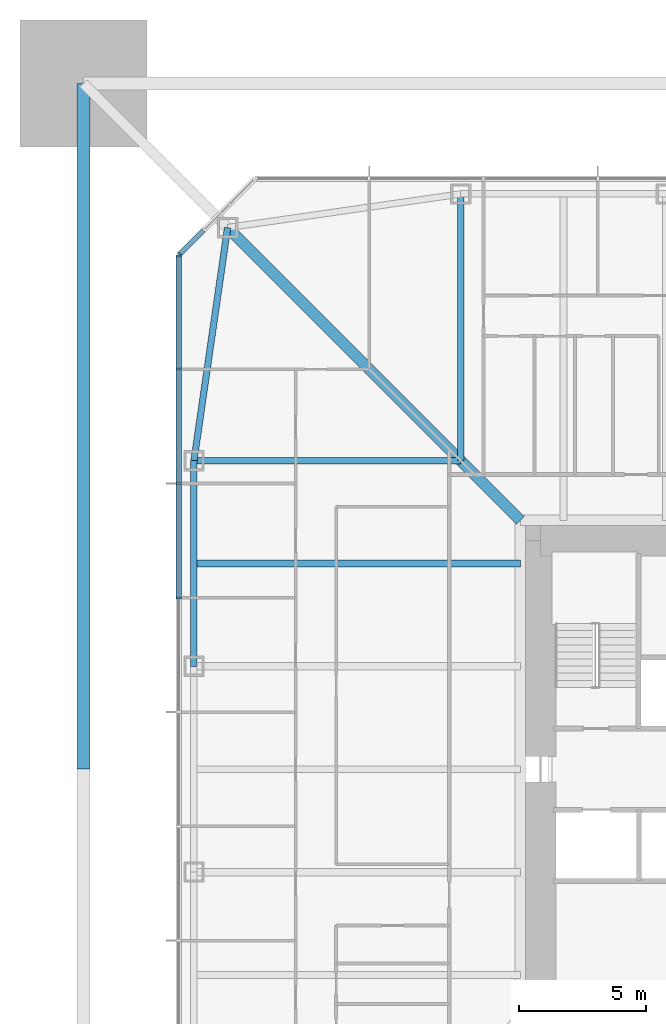
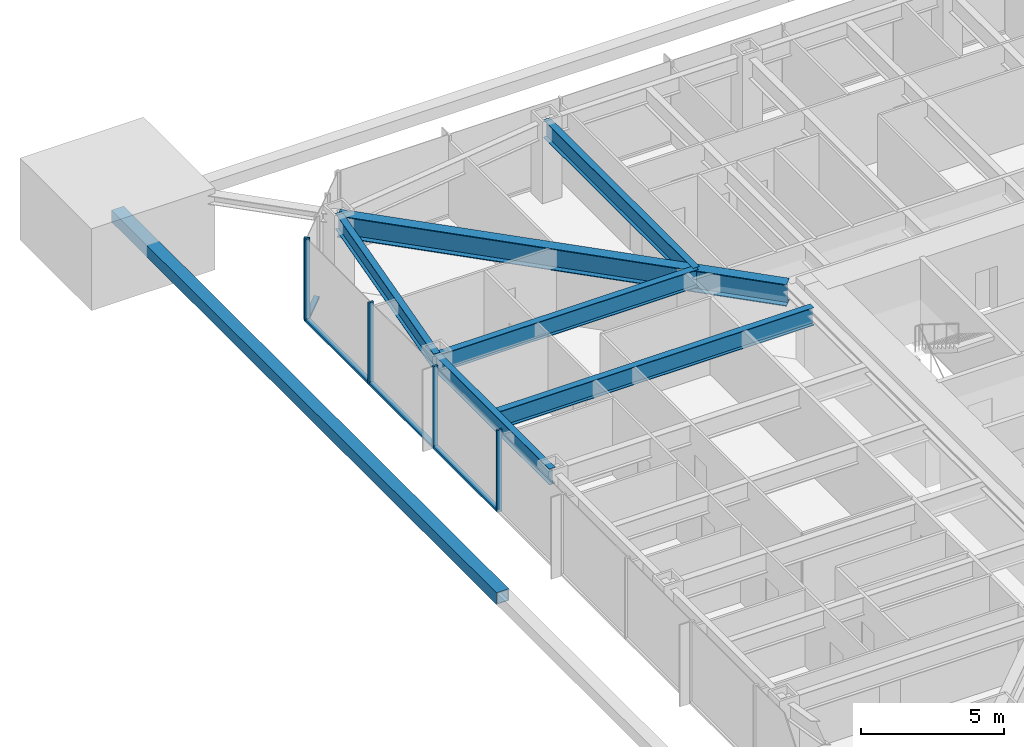
# One storey, part 6 of 27: 10 members, 6 beams, 2 elements without a shape of their own.
"""IFC4 building model written with IfcOpenShell, lengths in metres."""

from ifc_helpers import new_model, si_unit, direction, frame, origin, origin_2d, place, context, subcontext, project, spatial, rectangle, hollow_rectangle, i_section, extrude, material, material_profile, profile_set, type_object, element, aggregate, save


model = new_model("IFC4")

# Units and contexts
model_context = context("Model", 3, precision=1e-05, world=origin(), true_north=direction((0.0, 1.0)))
body_context = subcontext(model_context, "Body", "Model", "MODEL_VIEW")
ifc_project = project(units=[si_unit("LENGTHUNIT", "METRE"), si_unit("AREAUNIT", "SQUARE_METRE"), si_unit("VOLUMEUNIT", "CUBIC_METRE"), si_unit("PLANEANGLEUNIT", "RADIAN"), si_unit("MASSUNIT", "GRAM", prefix="KILO")], contexts=[model_context])

# Site, building, storey
site_placement = place(None, origin())
site = spatial("IfcSite", under=ifc_project, at=site_placement, CompositionType="ELEMENT")
building_placement = place(site_placement, origin())
building = spatial("IfcBuilding", under=site, at=building_placement, Name="Iwan Alto Co-Living Towers", CompositionType="ELEMENT")
storey_placement = place(building_placement, frame((0.0, 0.0, 53.5)))
storey = spatial("IfcBuildingStorey", under=building, at=storey_placement, Name="L14", CompositionType="ELEMENT", Elevation=53.5)

# Curtain wall, members
ifc_material_1 = material(Name="Bronze aluminium unitised frame", Category="aluminium")
curtain_wall_type_1 = type_object("IfcCurtainWallType", Name="CURTAIN WALL CW-A", PredefinedType="NOTDEFINED", material=ifc_material_1)
curtain_wall_1_placement = place(storey_placement, origin())
curtain_wall_1 = element("IfcCurtainWall", 1, at=curtain_wall_1_placement, inside=storey, type_object=curtain_wall_type_1, Name="T1 curtain wall W L14", PredefinedType="NOTDEFINED")
ifc_material_2 = material(Name="Aluminium 6063-T6 bronze anodised", Category="aluminium")
ifc_material_profile_1 = material_profile(ifc_material_2, rectangle(XDim=0.199951171875, YDim=0.080078125, at=origin_2d()), Name="AL 80X200")
ifc_profile_set_1 = profile_set([ifc_material_profile_1], Name="Aluminium 6063-T6 bronze anodised")
member_type_1 = type_object("IfcMemberType", Name="CW-A MULLION 80X200", PredefinedType="MULLION", material=ifc_profile_set_1)
member_1_placement = place(storey_placement, frame((-23.25, 20.2099609375, 0.0), z_axis=(0.0, 0.0, 1.0), x_axis=(1.0, 0.0, 0.0)))
member_1 = element("IfcMember", 2, at=member_1_placement, type_object=member_type_1, Name="CW-A mullion 1", PredefinedType="MULLION", context=body_context, shape_type="SweptSolid", body=[
    extrude(rectangle(XDim=0.199951171875, YDim=0.080078125, at=origin_2d()), origin(), (0.0, 0.0, 1.0), 3.5),
])
member_2_placement = place(storey_placement, frame((-23.25, 15.75, 0.0), z_axis=(0.0, 0.0, 1.0), x_axis=(1.0, 0.0, 0.0)))
member_2 = element("IfcMember", 3, at=member_2_placement, type_object=member_type_1, Name="CW-A mullion 2", PredefinedType="MULLION", context=body_context, shape_type="SweptSolid", body=[
    extrude(rectangle(XDim=0.199951171875, YDim=0.080078125, at=origin_2d()), origin(), (0.0, 0.0, 1.0), 3.5),
])
member_3_placement = place(storey_placement, frame((-23.25, 11.25, 0.0), z_axis=(0.0, 0.0, 1.0), x_axis=(1.0, 0.0, 0.0)))
member_3 = element("IfcMember", 4, at=member_3_placement, type_object=member_type_1, Name="CW-A mullion 3", PredefinedType="MULLION", context=body_context, shape_type="SweptSolid", body=[
    extrude(rectangle(XDim=0.199951171875, YDim=0.080078125, at=origin_2d()), origin(), (0.0, 0.0, 1.0), 3.5),
])
member_4_placement = place(storey_placement, frame((-23.25, 6.75, 0.0), z_axis=(0.0, 0.0, 1.0), x_axis=(1.0, 0.0, 0.0)))
member_4 = element("IfcMember", 5, at=member_4_placement, type_object=member_type_1, Name="CW-A mullion 4", PredefinedType="MULLION", context=body_context, shape_type="SweptSolid", body=[
    extrude(rectangle(XDim=0.199951171875, YDim=0.080078125, at=origin_2d()), origin(), (0.0, 0.0, 1.0), 3.5),
])
ifc_material_3 = material(Name="Aluminium 6063-T6 bronze anodised", Category="aluminium")
ifc_material_profile_2 = material_profile(ifc_material_3, rectangle(XDim=0.199951171875, YDim=0.10009765625, at=origin_2d()), Name="AL 200X100")
ifc_profile_set_2 = profile_set([ifc_material_profile_2], Name="Aluminium 6063-T6 bronze anodised")
member_type_2 = type_object("IfcMemberType", Name="CW-A TRANSOM 200X100", PredefinedType="USERDEFINED", material=ifc_profile_set_2)
member_5_placement = place(storey_placement, frame((-23.25, 20.169921875, 0.050048828125), z_axis=(0.0, -1.0, 0.0), x_axis=(1.0, 0.0, 0.0)))
member_5 = element("IfcMember", 6, at=member_5_placement, type_object=member_type_2, Name="CW-A transom 1.1", ObjectType="TRANSOM", PredefinedType="USERDEFINED", context=body_context, shape_type="SweptSolid", body=[
    extrude(rectangle(XDim=0.199951171875, YDim=0.10009765625, at=origin_2d()), origin(), (0.0, 0.0, 1.0), 4.3798828125),
])
member_6_placement = place(storey_placement, frame((-23.25, 15.7099609375, 0.050048828125), z_axis=(0.0, -1.0, 0.0), x_axis=(1.0, 0.0, 0.0)))
member_6 = element("IfcMember", 7, at=member_6_placement, type_object=member_type_2, Name="CW-A transom 2.1", ObjectType="TRANSOM", PredefinedType="USERDEFINED", context=body_context, shape_type="SweptSolid", body=[
    extrude(rectangle(XDim=0.199951171875, YDim=0.10009765625, at=origin_2d()), origin(), (0.0, 0.0, 1.0), 4.419921875),
])
member_7_placement = place(storey_placement, frame((-23.25, 11.2099609375, 0.050048828125), z_axis=(0.0, -1.0, 0.0), x_axis=(1.0, 0.0, 0.0)))
member_7 = element("IfcMember", 8, at=member_7_placement, type_object=member_type_2, Name="CW-A transom 3.1", ObjectType="TRANSOM", PredefinedType="USERDEFINED", context=body_context, shape_type="SweptSolid", body=[
    extrude(rectangle(XDim=0.199951171875, YDim=0.10009765625, at=origin_2d()), origin(), (0.0, 0.0, 1.0), 4.419921875),
])
aggregate(curtain_wall_1, [member_1, member_2, member_3, member_4, member_5, member_6, member_7])

ifc_material_4 = material(Name="Bronze aluminium unitised frame", Category="aluminium")
curtain_wall_type_2 = type_object("IfcCurtainWallType", Name="CURTAIN WALL CW-B", PredefinedType="NOTDEFINED", material=ifc_material_4)
curtain_wall_2_placement = place(storey_placement, origin())
curtain_wall_2 = element("IfcCurtainWall", 9, at=curtain_wall_2_placement, inside=storey, type_object=curtain_wall_type_2, Name="T1 chamfer curtain wall NW L14", PredefinedType="NOTDEFINED")
ifc_material_5 = material(Name="Aluminium 6063-T6 bronze anodised", Category="aluminium")
ifc_material_profile_3 = material_profile(ifc_material_5, rectangle(XDim=0.199951171875, YDim=0.080078125, at=origin_2d()), Name="AL 80X200")
ifc_profile_set_3 = profile_set([ifc_material_profile_3], Name="Aluminium 6063-T6 bronze anodised")
member_type_3 = type_object("IfcMemberType", Name="CW-B MULLION 80X200", PredefinedType="MULLION", material=ifc_profile_set_3)
member_8_placement = place(storey_placement, frame((-23.2216796875, 20.2783203125, 0.0), z_axis=(0.0, 0.0, 1.0), x_axis=(0.707106781187, -0.707106781187, 0.0)))
member_8 = element("IfcMember", 10, at=member_8_placement, type_object=member_type_3, Name="CW-B mullion 4", PredefinedType="MULLION", context=body_context, shape_type="SweptSolid", body=[
    extrude(rectangle(XDim=0.199951171875, YDim=0.080078125, at=origin_2d()), origin(), (0.0, 0.0, 1.0), 3.5),
])
ifc_material_6 = material(Name="Aluminium 6063-T6 bronze anodised", Category="aluminium")
ifc_material_profile_4 = material_profile(ifc_material_6, rectangle(XDim=0.199951171875, YDim=0.10009765625, at=origin_2d()), Name="AL 200X100")
ifc_profile_set_4 = profile_set([ifc_material_profile_4], Name="Aluminium 6063-T6 bronze anodised")
member_type_4 = type_object("IfcMemberType", Name="CW-B TRANSOM 200X100", PredefinedType="USERDEFINED", material=ifc_profile_set_4)
member_9_placement = place(storey_placement, frame((-22.2783203125, 21.2216796875, 0.050048828125), z_axis=(-0.707106781187, -0.707106781187, 0.0), x_axis=(0.707106781187, -0.707106781187, 0.0)))
member_9 = element("IfcMember", 11, at=member_9_placement, type_object=member_type_4, Name="CW-B transom 3.1", ObjectType="TRANSOM", PredefinedType="USERDEFINED", context=body_context, shape_type="SweptSolid", body=[
    extrude(rectangle(XDim=0.199951171875, YDim=0.10009765625, at=origin_2d()), origin(), (0.0, 0.0, 1.0), 1.2939453125),
])
aggregate(curtain_wall_2, [member_8, member_9])

# Beams
ifc_material_7 = material(Name="Steel ASTM A992 Gr 50", Category="steel")
ifc_material_profile_5 = material_profile(ifc_material_7, i_section(OverallWidth=0.419189453125, OverallDepth=0.927001953125, WebThickness=0.019287109375, FlangeThickness=0.031982421875, at=origin_2d()), Name="W36X231")
ifc_profile_set_5 = profile_set([ifc_material_profile_5], Name="Steel ASTM A992 Gr 50")
beam_type_1 = type_object("IfcBeamType", Name="T1 CORNER GIRDER W36X231", PredefinedType="BEAM", material=ifc_profile_set_5)
beam_1_placement = place(storey_placement, frame((-21.32568359375, 21.32568359375, 2.806396484375), z_axis=(0.707106781187, -0.707106781187, 0.0), x_axis=(0.707106781187, 0.707106781187, 0.0)))
element("IfcBeam", 12, at=beam_1_placement, inside=storey, type_object=beam_type_1, Name="T1 corner girder CNW L15", PredefinedType="BEAM", context=body_context, shape_type="SweptSolid", body=[
    extrude(i_section(OverallWidth=0.419189453125, OverallDepth=0.927001953125, WebThickness=0.019287109375, FlangeThickness=0.031982421875, at=origin_2d()), origin(), (0.0, 0.0, 1.0), 16.296875),
])
ifc_material_8 = material(Name="Steel ASTM A992 Gr 50", Category="steel")
ifc_material_profile_6 = material_profile(ifc_material_8, i_section(OverallWidth=0.25390625, OverallDepth=0.683349609375, WebThickness=0.012451171875, FlangeThickness=0.018798828125, at=origin_2d()), Name="W27X94")
ifc_profile_set_6 = profile_set([ifc_material_profile_6], Name="Steel ASTM A992 Gr 50")
beam_type_2 = type_object("IfcBeamType", Name="T1 EDGE BEAM W27X94", PredefinedType="BEAM", material=ifc_profile_set_6)
beam_2_placement = place(storey_placement, frame((-21.32568359375, 21.32568359375, 2.928466796875), z_axis=(-0.142836940589, -0.989746234347, 0.0), x_axis=(0.989746234347, -0.142836940589, 0.0)))
element("IfcBeam", 13, at=beam_2_placement, inside=storey, type_object=beam_type_2, Name="T1 edge beam CNW L15", PredefinedType="BEAM", context=body_context, shape_type="SweptSolid", body=[
    extrude(i_section(OverallWidth=0.25390625, OverallDepth=0.683349609375, WebThickness=0.012451171875, FlangeThickness=0.018798828125, at=origin_2d()), origin(), (0.0, 0.0, 1.0), 9.270751953125),
])
beam_3_placement = place(storey_placement, frame((-22.64990234375, 12.14990234375, 2.928466796875), z_axis=(0.0, -1.0, 0.0), x_axis=(1.0, 0.0, 0.0)))
element("IfcBeam", 14, at=beam_3_placement, inside=storey, type_object=beam_type_2, Name="T1 edge beam W1 L15", PredefinedType="BEAM", context=body_context, shape_type="SweptSolid", body=[
    extrude(i_section(OverallWidth=0.25390625, OverallDepth=0.683349609375, WebThickness=0.012451171875, FlangeThickness=0.018798828125, at=origin_2d()), origin(), (0.0, 0.0, 1.0), 8.099853515625),
])

# Member
ifc_material_9 = material(Name="Steel ASTM A572 Gr 50", Category="steel")
ifc_material_profile_7 = material_profile(ifc_material_9, hollow_rectangle(XDim=0.5, YDim=0.5, WallThickness=0.031982421875, at=origin_2d()), Name="BOX 500X500X32")
ifc_profile_set_7 = profile_set([ifc_material_profile_7], Name="Steel ASTM A572 Gr 50")
member_type_5 = type_object("IfcMemberType", Name="T1 MEGA TIE BOX 500X500X32", PredefinedType="STRUT", material=ifc_profile_set_7)
member_10_placement = place(storey_placement, frame((-27.0, 27.0, 1.75), z_axis=(0.0, -1.0, 0.0), x_axis=(1.0, 0.0, 0.0)))
element("IfcMember", 15, at=member_10_placement, inside=storey, type_object=member_type_5, Name="T1 mega tie Z1B W 1", PredefinedType="STRUT", context=body_context, shape_type="SweptSolid", body=[
    extrude(hollow_rectangle(XDim=0.5, YDim=0.5, WallThickness=0.031982421875, at=origin_2d()), origin(), (0.0, 0.0, 1.0), 27.0),
])

# Beams
ifc_material_10 = material(Name="Steel ASTM A992 Gr 50", Category="steel")
ifc_material_profile_8 = material_profile(ifc_material_10, i_section(OverallWidth=0.2666015625, OverallDepth=0.761962890625, WebThickness=0.014404296875, FlangeThickness=0.021484375, at=origin_2d()), Name="W30X116")
ifc_profile_set_8 = profile_set([ifc_material_profile_8], Name="Steel ASTM A992 Gr 50")
beam_type_3 = type_object("IfcBeamType", Name="T1 RADIAL BEAM W30X116", PredefinedType="BEAM", material=ifc_profile_set_8)
for number, where, z_axis, x_axis, name in (
    (16, (-12.14990234375, 22.64990234375, 2.888916015625), (0.0, -1.0, 0.0), (1.0, 0.0, 0.0), "T1 radial beam N4 L15"),
    (17, (-22.64990234375, 12.14990234375, 2.888916015625), (1.0, 0.0, 0.0), (0.0, 1.0, 0.0), "T1 radial beam W1 L15"),
):
    element("IfcBeam", number, at=place(storey_placement, frame(where, z_axis=z_axis, x_axis=x_axis)), inside=storey, type_object=beam_type_3, Name=name, PredefinedType="BEAM", context=body_context, shape_type="SweptSolid", body=[
        extrude(i_section(OverallWidth=0.2666015625, OverallDepth=0.761962890625, WebThickness=0.014404296875, FlangeThickness=0.021484375, at=origin_2d()), origin(), (0.0, 0.0, 1.0), 10.5),
    ])
ifc_material_11 = material(Name="Steel ASTM A992 Gr 50", Category="steel")
ifc_material_profile_9 = material_profile(ifc_material_11, i_section(OverallWidth=0.2666015625, OverallDepth=0.761962890625, WebThickness=0.014404296875, FlangeThickness=0.021484375, at=origin_2d()), Name="W30X116")
ifc_profile_set_9 = profile_set([ifc_material_profile_9], Name="Steel ASTM A992 Gr 50")
beam_type_4 = type_object("IfcBeamType", Name="T1 SECONDARY BEAM W30X116", PredefinedType="JOIST", material=ifc_profile_set_9)
beam_4_placement = place(storey_placement, frame((-22.64990234375, 8.10009765625, 2.888916015625), z_axis=(1.0, 0.0, 0.0), x_axis=(0.0, 1.0, 0.0)))
element("IfcBeam", 18, at=beam_4_placement, inside=storey, type_object=beam_type_4, Name="T1 secondary beam W1 L15", PredefinedType="JOIST", context=body_context, shape_type="SweptSolid", body=[
    extrude(i_section(OverallWidth=0.2666015625, OverallDepth=0.761962890625, WebThickness=0.014404296875, FlangeThickness=0.021484375, at=origin_2d()), origin(), (0.0, 0.0, 1.0), 12.847900390625),
])

save(model, "model.ifc")
